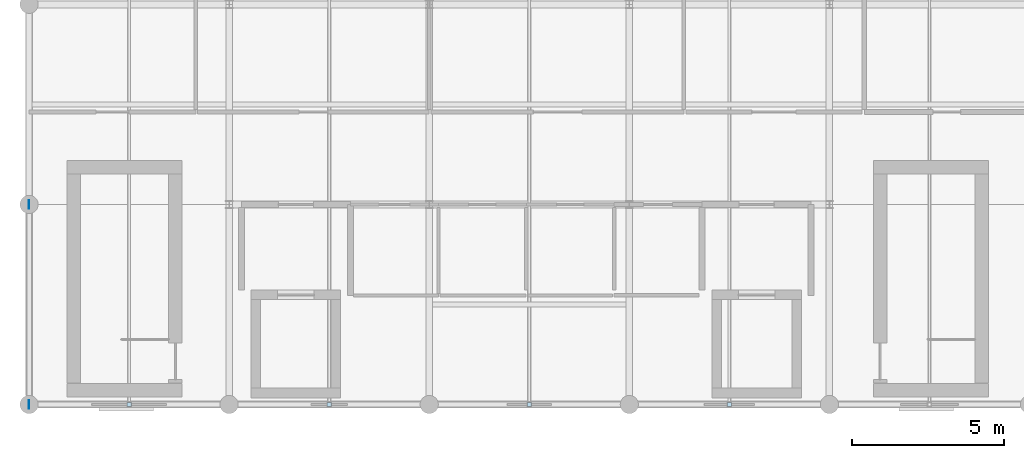
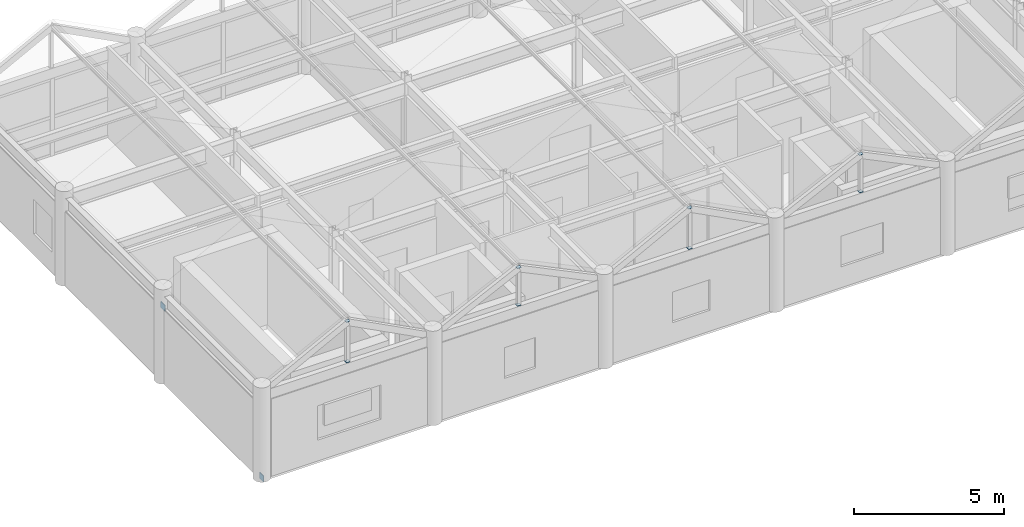
# One storey, part 16 of 21: 10 plates.
"""IFC4 building model written with IfcOpenShell, lengths in metres."""

from ifc_helpers import new_model, si_unit, direction, frame, origin, origin_2d, place, context, subcontext, project, spatial, rectangle, extrude, material, layer, layer_set, type_object, element, save


model = new_model("IFC4")

# Units and contexts
model_context = context("Model", 3, precision=1e-05, world=origin(), true_north=direction((0.0, 1.0)))
body_context = subcontext(model_context, "Body", "Model", "MODEL_VIEW")
ifc_project = project(units=[si_unit("LENGTHUNIT", "METRE"), si_unit("AREAUNIT", "SQUARE_METRE"), si_unit("VOLUMEUNIT", "CUBIC_METRE"), si_unit("PLANEANGLEUNIT", "RADIAN"), si_unit("MASSUNIT", "GRAM", prefix="KILO")], contexts=[model_context])

# Site, building, storey
site_placement = place(None, origin())
site = spatial("IfcSite", under=ifc_project, at=site_placement, CompositionType="ELEMENT")
building_placement = place(site_placement, origin())
building = spatial("IfcBuilding", under=site, at=building_placement, Name="Karori Crest Natural Sciences Institute", CompositionType="ELEMENT")
storey_placement = place(building_placement, frame((0.0, 0.0, 42.0)))
storey = spatial("IfcBuildingStorey", under=building, at=storey_placement, Name="L10", CompositionType="ELEMENT", Elevation=42.0)

# Plates
ifc_material = material(Name="Structural steel AS/NZS 3679.1 Grade 350", Category="steel")
ifc_layer = layer(ifc_material, 0.02490234375, Name="Structural steel AS/NZS 3679.1 Grade 350")
ifc_layer_set = layer_set([ifc_layer], Name="Structural steel AS/NZS 3679.1 Grade 350")
plate_type = type_object("IfcPlateType", Name="PLT-06-EL", PredefinedType="SHEET", material=ifc_layer_set)
for number, where, z_axis, x_axis, name in (
    (1, (103.60009765625, 0.800048828125, -0.10986328125), (0.0, 0.0, 1.0), (0.0, 1.0, 0.0), "Brace gusset plate EP-0428"),
    (2, (103.60009765625, 7.39990234375, 2.84814453125), (0.0, 0.0, 1.0), (0.0, 1.0, 0.0), "Brace gusset plate EP-0429"),
):
    element("IfcPlate", number, at=place(storey_placement, frame(where, z_axis=z_axis, x_axis=x_axis)), inside=storey, type_object=plate_type, Name=name, PredefinedType="SHEET", context=body_context, shape_type="SweptSolid", body=[
        extrude(rectangle(XDim=0.280029296875, YDim=0.02490234375, at=origin_2d()), origin(), (0.0, 0.0, 1.0), 0.239990234375),
    ])
for number, where, z_axis, x_axis, name in (
    (3, (106.89990234375, 0.800048828125, 3.55712890625), (0.0, 0.0, 1.0), (1.0, 0.0, 0.0), "Hollow section end cap EP-0432"),
    (4, (106.89990234375, 0.800048828125, 5.2099609375), (0.0, 0.0, 1.0), (1.0, 0.0, 0.0), "Hollow section end cap EP-0433"),
    (5, (113.5, 0.800048828125, 3.55712890625), (0.0, 0.0, 1.0), (1.0, 0.0, 0.0), "Hollow section end cap EP-0436"),
    (6, (113.5, 0.800048828125, 5.090087890625), (0.0, 0.0, 1.0), (1.0, 0.0, 0.0), "Hollow section end cap EP-0437"),
    (7, (120.10009765625, 0.800048828125, 3.55712890625), (0.0, 0.0, 1.0), (1.0, 0.0, 0.0), "Hollow section end cap EP-0440"),
    (8, (120.10009765625, 0.800048828125, 5.2099609375), (0.0, 0.0, 1.0), (1.0, 0.0, 0.0), "Hollow section end cap EP-0441"),
    (9, (126.699951171875, 0.800048828125, 3.55712890625), (0.0, 0.0, 1.0), (1.0, 0.0, 0.0), "Hollow section end cap EP-0444"),
    (10, (126.699951171875, 0.800048828125, 5.090087890625), (0.0, 0.0, 1.0), (1.0, 0.0, 0.0), "Hollow section end cap EP-0445"),
):
    element("IfcPlate", number, at=place(storey_placement, frame(where, z_axis=z_axis, x_axis=x_axis)), inside=storey, type_object=plate_type, Name=name, PredefinedType="SHEET", context=body_context, shape_type="SweptSolid", body=[
        extrude(rectangle(XDim=0.14501953125, YDim=0.14501953125, at=origin_2d()), origin(), (0.0, 0.0, 1.0), 0.02490234375),
    ])

save(model, "model.ifc")
